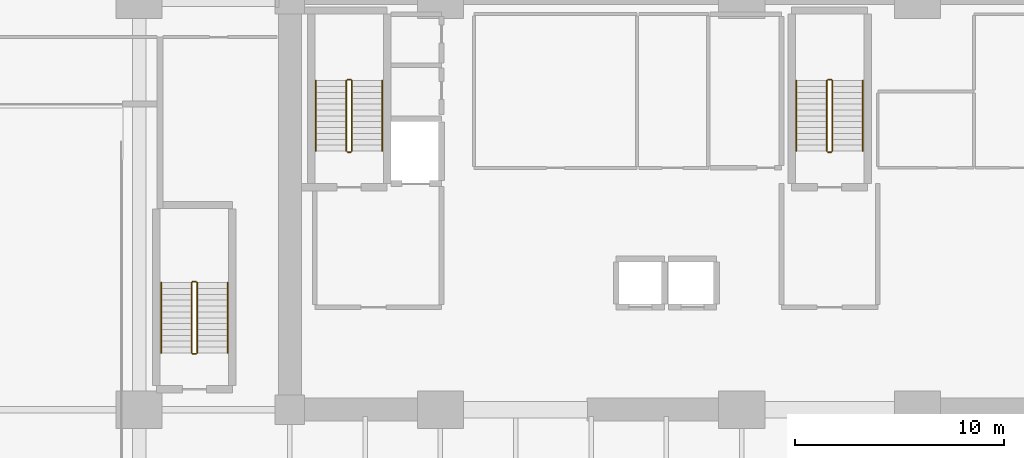
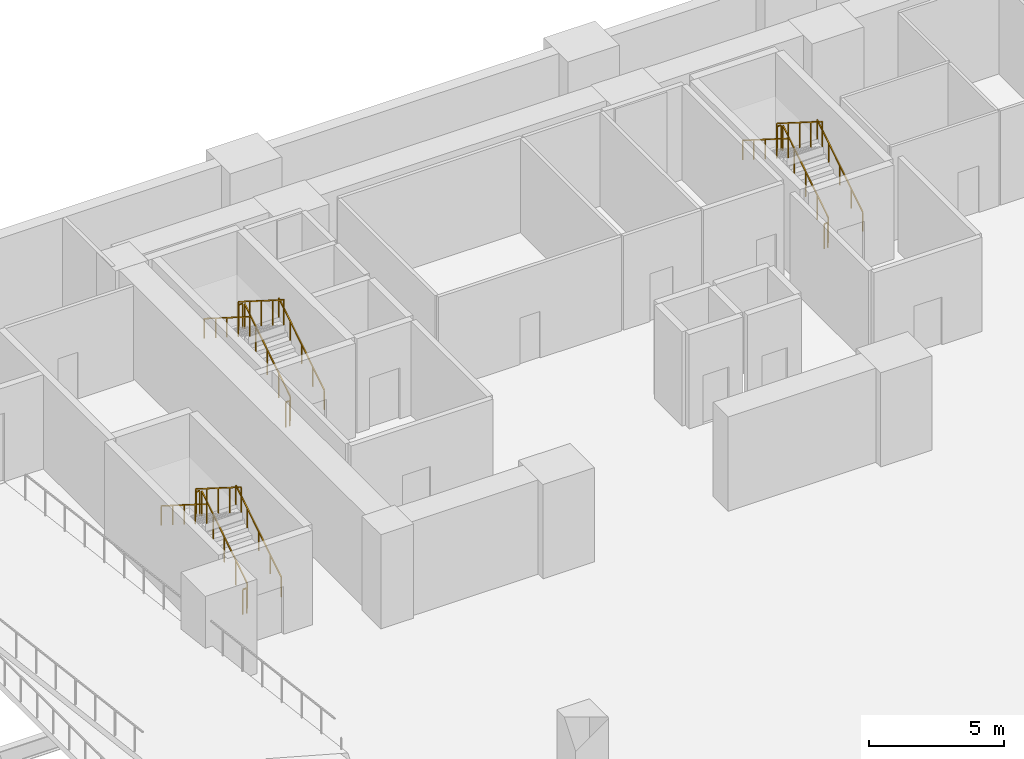
# One storey, part 8 of 9: 18 railings.
"""IFC4 building model written with IfcOpenShell, lengths in metres."""

from ifc_helpers import new_model, si_unit, direction, frame, origin, origin_2d, place, context, subcontext, project, spatial, rectangle, extrude, material, type_object, element, save


model = new_model("IFC4")

# Units and contexts
model_context = context("Model", 3, precision=1e-05, world=origin(), true_north=direction((0.0, 1.0)))
body_context = subcontext(model_context, "Body", "Model", "MODEL_VIEW")
ifc_project = project(units=[si_unit("LENGTHUNIT", "METRE"), si_unit("AREAUNIT", "SQUARE_METRE"), si_unit("VOLUMEUNIT", "CUBIC_METRE"), si_unit("PLANEANGLEUNIT", "RADIAN"), si_unit("MASSUNIT", "GRAM", prefix="KILO")], contexts=[model_context])

# Site, building, storey
site_placement = place(None, origin())
site = spatial("IfcSite", under=ifc_project, at=site_placement, CompositionType="ELEMENT")
building_placement = place(site_placement, origin())
building = spatial("IfcBuilding", under=site, at=building_placement, Name="Kaelvorn Grand Hotel", CompositionType="ELEMENT")
storey_placement = place(building_placement, frame((0.0, 0.0, -4.60009765625)))
storey = spatial("IfcBuildingStorey", under=building, at=storey_placement, Name="B01", CompositionType="ELEMENT", Elevation=-4.60009765625)

# Railings
ifc_material = material(Name="Stainless Steel", Category="steel")
railing_type_1 = type_object("IfcRailingType", Name="RL-HANDRAIL-900", PredefinedType="HANDRAIL", material=ifc_material)
railing_1_placement = place(storey_placement, frame((20.6298828125, 41.760009765625, 0.177001953125)))
element("IfcRailing", 1, at=railing_1_placement, inside=storey, type_object=railing_type_1, Name="B01 ST1 stair handrail 1", PredefinedType="HANDRAIL", context=body_context, shape_type="SweptSolid", body=[
    extrude(rectangle(XDim=0.048095703125, YDim=0.048095703125, at=origin_2d()), frame((0.0, 0.0, 0.8759765625), z_axis=(0.0, 0.845389635667, 0.534150132366), x_axis=(-1.0, 0.0, 0.0)), (0.0, 0.0, 1.0), 3.974609375),
    extrude(rectangle(XDim=0.0419921875, YDim=0.0419921875, at=origin_2d()), origin(), (0.0, 0.0, 1.0), 0.851806640625),
    extrude(rectangle(XDim=0.0419921875, YDim=0.0419921875, at=origin_2d()), frame((0.0, 0.840087890625, 0.53076171875)), (0.0, 0.0, 1.0), 0.851806640625),
    extrude(rectangle(XDim=0.0419921875, YDim=0.0419921875, at=origin_2d()), frame((0.0, 1.68017578125, 1.0615234375)), (0.0, 0.0, 1.0), 0.851806640625),
    extrude(rectangle(XDim=0.0419921875, YDim=0.0419921875, at=origin_2d()), frame((0.0, 2.52001953125, 1.59228515625)), (0.0, 0.0, 1.0), 0.851806640625),
    extrude(rectangle(XDim=0.0419921875, YDim=0.0419921875, at=origin_2d()), frame((0.0, 3.360107421875, 2.123046875)), (0.0, 0.0, 1.0), 0.851806640625),
])
railing_2_placement = place(storey_placement, frame((17.449951171875, 45.1201171875, 2.47705078125)))
element("IfcRailing", 2, at=railing_2_placement, inside=storey, type_object=railing_type_1, Name="B01 ST1 stair handrail 2", PredefinedType="HANDRAIL", context=body_context, shape_type="SweptSolid", body=[
    extrude(rectangle(XDim=0.048095703125, YDim=0.048095703125, at=origin_2d()), frame((0.0, 0.0, 0.8759765625), z_axis=(0.0, -0.845389635667, 0.534150132366), x_axis=(1.0, 0.0, 0.0)), (0.0, 0.0, 1.0), 3.974609375),
    extrude(rectangle(XDim=0.0419921875, YDim=0.0419921875, at=origin_2d()), origin(), (0.0, 0.0, 1.0), 0.851806640625),
    extrude(rectangle(XDim=0.0419921875, YDim=0.0419921875, at=origin_2d()), frame((0.0, -0.840087890625, 0.53076171875)), (0.0, 0.0, 1.0), 0.851806640625),
    extrude(rectangle(XDim=0.0419921875, YDim=0.0419921875, at=origin_2d()), frame((0.0, -1.68017578125, 1.0615234375)), (0.0, 0.0, 1.0), 0.851806640625),
    extrude(rectangle(XDim=0.0419921875, YDim=0.0419921875, at=origin_2d()), frame((0.0, -2.52001953125, 1.59228515625)), (0.0, 0.0, 1.0), 0.851806640625),
    extrude(rectangle(XDim=0.0419921875, YDim=0.0419921875, at=origin_2d()), frame((0.0, -3.360107421875, 2.123046875)), (0.0, 0.0, 1.0), 0.851806640625),
])
railing_3_placement = place(storey_placement, frame((43.590087890625, 41.760009765625, 0.177001953125)))
element("IfcRailing", 3, at=railing_3_placement, inside=storey, type_object=railing_type_1, Name="B01 ST2 stair handrail 1", PredefinedType="HANDRAIL", context=body_context, shape_type="SweptSolid", body=[
    extrude(rectangle(XDim=0.048095703125, YDim=0.048095703125, at=origin_2d()), frame((0.0, 0.0, 0.8759765625), z_axis=(0.0, 0.845389635667, 0.534150132366), x_axis=(-1.0, 0.0, 0.0)), (0.0, 0.0, 1.0), 3.974609375),
    extrude(rectangle(XDim=0.0419921875, YDim=0.0419921875, at=origin_2d()), origin(), (0.0, 0.0, 1.0), 0.851806640625),
    extrude(rectangle(XDim=0.0419921875, YDim=0.0419921875, at=origin_2d()), frame((0.0, 0.840087890625, 0.53076171875)), (0.0, 0.0, 1.0), 0.851806640625),
    extrude(rectangle(XDim=0.0419921875, YDim=0.0419921875, at=origin_2d()), frame((0.0, 1.68017578125, 1.0615234375)), (0.0, 0.0, 1.0), 0.851806640625),
    extrude(rectangle(XDim=0.0419921875, YDim=0.0419921875, at=origin_2d()), frame((0.0, 2.52001953125, 1.59228515625)), (0.0, 0.0, 1.0), 0.851806640625),
    extrude(rectangle(XDim=0.0419921875, YDim=0.0419921875, at=origin_2d()), frame((0.0, 3.360107421875, 2.123046875)), (0.0, 0.0, 1.0), 0.851806640625),
])
railing_4_placement = place(storey_placement, frame((40.409912109375, 45.1201171875, 2.47705078125)))
element("IfcRailing", 4, at=railing_4_placement, inside=storey, type_object=railing_type_1, Name="B01 ST2 stair handrail 2", PredefinedType="HANDRAIL", context=body_context, shape_type="SweptSolid", body=[
    extrude(rectangle(XDim=0.048095703125, YDim=0.048095703125, at=origin_2d()), frame((0.0, 0.0, 0.8759765625), z_axis=(0.0, -0.845389635667, 0.534150132366), x_axis=(1.0, 0.0, 0.0)), (0.0, 0.0, 1.0), 3.974609375),
    extrude(rectangle(XDim=0.0419921875, YDim=0.0419921875, at=origin_2d()), origin(), (0.0, 0.0, 1.0), 0.851806640625),
    extrude(rectangle(XDim=0.0419921875, YDim=0.0419921875, at=origin_2d()), frame((0.0, -0.840087890625, 0.53076171875)), (0.0, 0.0, 1.0), 0.851806640625),
    extrude(rectangle(XDim=0.0419921875, YDim=0.0419921875, at=origin_2d()), frame((0.0, -1.68017578125, 1.0615234375)), (0.0, 0.0, 1.0), 0.851806640625),
    extrude(rectangle(XDim=0.0419921875, YDim=0.0419921875, at=origin_2d()), frame((0.0, -2.52001953125, 1.59228515625)), (0.0, 0.0, 1.0), 0.851806640625),
    extrude(rectangle(XDim=0.0419921875, YDim=0.0419921875, at=origin_2d()), frame((0.0, -3.360107421875, 2.123046875)), (0.0, 0.0, 1.0), 0.851806640625),
])
railing_5_placement = place(storey_placement, frame((13.22998046875, 32.110107421875, 0.177001953125)))
element("IfcRailing", 5, at=railing_5_placement, inside=storey, type_object=railing_type_1, Name="B01 ST4 stair handrail 1", PredefinedType="HANDRAIL", context=body_context, shape_type="SweptSolid", body=[
    extrude(rectangle(XDim=0.048095703125, YDim=0.048095703125, at=origin_2d()), frame((0.0, 0.0, 0.8759765625), z_axis=(0.0, 0.845372108799, 0.534177870812), x_axis=(-1.0, 0.0, 0.0)), (0.0, 0.0, 1.0), 3.974365234375),
    extrude(rectangle(XDim=0.0419921875, YDim=0.0419921875, at=origin_2d()), origin(), (0.0, 0.0, 1.0), 0.851806640625),
    extrude(rectangle(XDim=0.0419921875, YDim=0.0419921875, at=origin_2d()), frame((0.0, 0.83984375, 0.53076171875)), (0.0, 0.0, 1.0), 0.851806640625),
    extrude(rectangle(XDim=0.0419921875, YDim=0.0419921875, at=origin_2d()), frame((0.0, 1.679931640625, 1.0615234375)), (0.0, 0.0, 1.0), 0.851806640625),
    extrude(rectangle(XDim=0.0419921875, YDim=0.0419921875, at=origin_2d()), frame((0.0, 2.52001953125, 1.59228515625)), (0.0, 0.0, 1.0), 0.851806640625),
    extrude(rectangle(XDim=0.0419921875, YDim=0.0419921875, at=origin_2d()), frame((0.0, 3.35986328125, 2.123046875)), (0.0, 0.0, 1.0), 0.851806640625),
])
railing_6_placement = place(storey_placement, frame((10.050048828125, 35.469970703125, 2.47705078125)))
element("IfcRailing", 6, at=railing_6_placement, inside=storey, type_object=railing_type_1, Name="B01 ST4 stair handrail 2", PredefinedType="HANDRAIL", context=body_context, shape_type="SweptSolid", body=[
    extrude(rectangle(XDim=0.048095703125, YDim=0.048095703125, at=origin_2d()), frame((0.0, 0.0, 0.8759765625), z_axis=(0.0, -0.845372108799, 0.534177870812), x_axis=(1.0, 0.0, 0.0)), (0.0, 0.0, 1.0), 3.974365234375),
    extrude(rectangle(XDim=0.0419921875, YDim=0.0419921875, at=origin_2d()), origin(), (0.0, 0.0, 1.0), 0.851806640625),
    extrude(rectangle(XDim=0.0419921875, YDim=0.0419921875, at=origin_2d()), frame((0.0, -0.83984375, 0.53076171875)), (0.0, 0.0, 1.0), 0.851806640625),
    extrude(rectangle(XDim=0.0419921875, YDim=0.0419921875, at=origin_2d()), frame((0.0, -1.679931640625, 1.0615234375)), (0.0, 0.0, 1.0), 0.851806640625),
    extrude(rectangle(XDim=0.0419921875, YDim=0.0419921875, at=origin_2d()), frame((0.0, -2.52001953125, 1.59228515625)), (0.0, 0.0, 1.0), 0.851806640625),
    extrude(rectangle(XDim=0.0419921875, YDim=0.0419921875, at=origin_2d()), frame((0.0, -3.35986328125, 2.123046875)), (0.0, 0.0, 1.0), 0.851806640625),
])
railing_type_2 = type_object("IfcRailingType", Name="RL-STAIR-GUARD-1150", PredefinedType="BALUSTRADE", material=ifc_material)
railing_7_placement = place(storey_placement, frame((19.169921875, 41.760009765625, 0.177001953125)))
element("IfcRailing", 7, at=railing_7_placement, inside=storey, type_object=railing_type_2, Name="B01 ST1 stair guard 1", PredefinedType="BALUSTRADE", context=body_context, shape_type="SweptSolid", body=[
    extrude(rectangle(XDim=0.048095703125, YDim=0.048095703125, at=origin_2d()), frame((0.0, 0.0, 1.1259765625), z_axis=(0.0, 0.845389635667, 0.534150132366), x_axis=(-1.0, 0.0, 0.0)), (0.0, 0.0, 1.0), 3.974609375),
    extrude(rectangle(XDim=0.0419921875, YDim=0.0419921875, at=origin_2d()), origin(), (0.0, 0.0, 1.0), 1.101806640625),
    extrude(rectangle(XDim=0.0419921875, YDim=0.0419921875, at=origin_2d()), frame((0.0, 0.840087890625, 0.53076171875)), (0.0, 0.0, 1.0), 1.101806640625),
    extrude(rectangle(XDim=0.0419921875, YDim=0.0419921875, at=origin_2d()), frame((0.0, 1.68017578125, 1.0615234375)), (0.0, 0.0, 1.0), 1.101806640625),
    extrude(rectangle(XDim=0.0419921875, YDim=0.0419921875, at=origin_2d()), frame((0.0, 2.52001953125, 1.59228515625)), (0.0, 0.0, 1.0), 1.101806640625),
    extrude(rectangle(XDim=0.0419921875, YDim=0.0419921875, at=origin_2d()), frame((0.0, 3.360107421875, 2.123046875)), (0.0, 0.0, 1.0), 1.101806640625),
])
railing_8_placement = place(storey_placement, frame((19.1201171875, 45.169921875, 2.300048828125)))
element("IfcRailing", 8, at=railing_8_placement, inside=storey, type_object=railing_type_2, Name="B01 ST1 stair guard 2", PredefinedType="BALUSTRADE", context=body_context, shape_type="SweptSolid", body=[
    extrude(rectangle(XDim=0.048095703125, YDim=0.048095703125, at=origin_2d()), frame((0.0, 0.0, 1.1259765625), z_axis=(-1.0, 0.0, 0.0), x_axis=(0.0, -1.0, 0.0)), (0.0, 0.0, 1.0), 0.16015625),
    extrude(rectangle(XDim=0.0419921875, YDim=0.0419921875, at=origin_2d()), origin(), (0.0, 0.0, 1.0), 1.101806640625),
    extrude(rectangle(XDim=0.0419921875, YDim=0.0419921875, at=origin_2d()), frame((-0.16015625, 0.0, 0.0)), (0.0, 0.0, 1.0), 1.101806640625),
])
railing_9_placement = place(storey_placement, frame((18.909912109375, 45.1201171875, 2.47705078125)))
element("IfcRailing", 9, at=railing_9_placement, inside=storey, type_object=railing_type_2, Name="B01 ST1 stair guard 3", PredefinedType="BALUSTRADE", context=body_context, shape_type="SweptSolid", body=[
    extrude(rectangle(XDim=0.048095703125, YDim=0.048095703125, at=origin_2d()), frame((0.0, 0.0, 1.1259765625), z_axis=(0.0, -0.845389635667, 0.534150132366), x_axis=(1.0, 0.0, 0.0)), (0.0, 0.0, 1.0), 3.974609375),
    extrude(rectangle(XDim=0.0419921875, YDim=0.0419921875, at=origin_2d()), origin(), (0.0, 0.0, 1.0), 1.101806640625),
    extrude(rectangle(XDim=0.0419921875, YDim=0.0419921875, at=origin_2d()), frame((0.0, -0.840087890625, 0.53076171875)), (0.0, 0.0, 1.0), 1.101806640625),
    extrude(rectangle(XDim=0.0419921875, YDim=0.0419921875, at=origin_2d()), frame((0.0, -1.68017578125, 1.0615234375)), (0.0, 0.0, 1.0), 1.101806640625),
    extrude(rectangle(XDim=0.0419921875, YDim=0.0419921875, at=origin_2d()), frame((0.0, -2.52001953125, 1.59228515625)), (0.0, 0.0, 1.0), 1.101806640625),
    extrude(rectangle(XDim=0.0419921875, YDim=0.0419921875, at=origin_2d()), frame((0.0, -3.360107421875, 2.123046875)), (0.0, 0.0, 1.0), 1.101806640625),
])
railing_10_placement = place(storey_placement, frame((19.1201171875, 41.7099609375, 0.0)))
element("IfcRailing", 10, at=railing_10_placement, inside=storey, type_object=railing_type_2, Name="B01 ST1 stair guard 4", PredefinedType="BALUSTRADE", context=body_context, shape_type="SweptSolid", body=[
    extrude(rectangle(XDim=0.048095703125, YDim=0.048095703125, at=origin_2d()), frame((0.0, 0.0, 1.1259765625), z_axis=(-1.0, 0.0, 0.0), x_axis=(0.0, -1.0, 0.0)), (0.0, 0.0, 1.0), 0.16015625),
    extrude(rectangle(XDim=0.0419921875, YDim=0.0419921875, at=origin_2d()), origin(), (0.0, 0.0, 1.0), 1.101806640625),
    extrude(rectangle(XDim=0.0419921875, YDim=0.0419921875, at=origin_2d()), frame((-0.16015625, 0.0, 0.0)), (0.0, 0.0, 1.0), 1.101806640625),
])
railing_11_placement = place(storey_placement, frame((42.1298828125, 41.760009765625, 0.177001953125)))
element("IfcRailing", 11, at=railing_11_placement, inside=storey, type_object=railing_type_2, Name="B01 ST2 stair guard 1", PredefinedType="BALUSTRADE", context=body_context, shape_type="SweptSolid", body=[
    extrude(rectangle(XDim=0.048095703125, YDim=0.048095703125, at=origin_2d()), frame((0.0, 0.0, 1.1259765625), z_axis=(0.0, 0.845389635667, 0.534150132366), x_axis=(-1.0, 0.0, 0.0)), (0.0, 0.0, 1.0), 3.974609375),
    extrude(rectangle(XDim=0.0419921875, YDim=0.0419921875, at=origin_2d()), origin(), (0.0, 0.0, 1.0), 1.101806640625),
    extrude(rectangle(XDim=0.0419921875, YDim=0.0419921875, at=origin_2d()), frame((0.0, 0.840087890625, 0.53076171875)), (0.0, 0.0, 1.0), 1.101806640625),
    extrude(rectangle(XDim=0.0419921875, YDim=0.0419921875, at=origin_2d()), frame((0.0, 1.68017578125, 1.0615234375)), (0.0, 0.0, 1.0), 1.101806640625),
    extrude(rectangle(XDim=0.0419921875, YDim=0.0419921875, at=origin_2d()), frame((0.0, 2.52001953125, 1.59228515625)), (0.0, 0.0, 1.0), 1.101806640625),
    extrude(rectangle(XDim=0.0419921875, YDim=0.0419921875, at=origin_2d()), frame((0.0, 3.360107421875, 2.123046875)), (0.0, 0.0, 1.0), 1.101806640625),
])
railing_12_placement = place(storey_placement, frame((42.080078125, 45.169921875, 2.300048828125)))
element("IfcRailing", 12, at=railing_12_placement, inside=storey, type_object=railing_type_2, Name="B01 ST2 stair guard 2", PredefinedType="BALUSTRADE", context=body_context, shape_type="SweptSolid", body=[
    extrude(rectangle(XDim=0.048095703125, YDim=0.048095703125, at=origin_2d()), frame((0.0, 0.0, 1.1259765625), z_axis=(-1.0, 0.0, 0.0), x_axis=(0.0, -1.0, 0.0)), (0.0, 0.0, 1.0), 0.16015625),
    extrude(rectangle(XDim=0.0419921875, YDim=0.0419921875, at=origin_2d()), origin(), (0.0, 0.0, 1.0), 1.101806640625),
    extrude(rectangle(XDim=0.0419921875, YDim=0.0419921875, at=origin_2d()), frame((-0.16015625, 0.0, 0.0)), (0.0, 0.0, 1.0), 1.101806640625),
])
railing_13_placement = place(storey_placement, frame((41.8701171875, 45.1201171875, 2.47705078125)))
element("IfcRailing", 13, at=railing_13_placement, inside=storey, type_object=railing_type_2, Name="B01 ST2 stair guard 3", PredefinedType="BALUSTRADE", context=body_context, shape_type="SweptSolid", body=[
    extrude(rectangle(XDim=0.048095703125, YDim=0.048095703125, at=origin_2d()), frame((0.0, 0.0, 1.1259765625), z_axis=(0.0, -0.845389635667, 0.534150132366), x_axis=(1.0, 0.0, 0.0)), (0.0, 0.0, 1.0), 3.974609375),
    extrude(rectangle(XDim=0.0419921875, YDim=0.0419921875, at=origin_2d()), origin(), (0.0, 0.0, 1.0), 1.101806640625),
    extrude(rectangle(XDim=0.0419921875, YDim=0.0419921875, at=origin_2d()), frame((0.0, -0.840087890625, 0.53076171875)), (0.0, 0.0, 1.0), 1.101806640625),
    extrude(rectangle(XDim=0.0419921875, YDim=0.0419921875, at=origin_2d()), frame((0.0, -1.68017578125, 1.0615234375)), (0.0, 0.0, 1.0), 1.101806640625),
    extrude(rectangle(XDim=0.0419921875, YDim=0.0419921875, at=origin_2d()), frame((0.0, -2.52001953125, 1.59228515625)), (0.0, 0.0, 1.0), 1.101806640625),
    extrude(rectangle(XDim=0.0419921875, YDim=0.0419921875, at=origin_2d()), frame((0.0, -3.360107421875, 2.123046875)), (0.0, 0.0, 1.0), 1.101806640625),
])
railing_14_placement = place(storey_placement, frame((42.080078125, 41.7099609375, 0.0)))
element("IfcRailing", 14, at=railing_14_placement, inside=storey, type_object=railing_type_2, Name="B01 ST2 stair guard 4", PredefinedType="BALUSTRADE", context=body_context, shape_type="SweptSolid", body=[
    extrude(rectangle(XDim=0.048095703125, YDim=0.048095703125, at=origin_2d()), frame((0.0, 0.0, 1.1259765625), z_axis=(-1.0, 0.0, 0.0), x_axis=(0.0, -1.0, 0.0)), (0.0, 0.0, 1.0), 0.16015625),
    extrude(rectangle(XDim=0.0419921875, YDim=0.0419921875, at=origin_2d()), origin(), (0.0, 0.0, 1.0), 1.101806640625),
    extrude(rectangle(XDim=0.0419921875, YDim=0.0419921875, at=origin_2d()), frame((-0.16015625, 0.0, 0.0)), (0.0, 0.0, 1.0), 1.101806640625),
])
railing_15_placement = place(storey_placement, frame((11.77001953125, 32.110107421875, 0.177001953125)))
element("IfcRailing", 15, at=railing_15_placement, inside=storey, type_object=railing_type_2, Name="B01 ST4 stair guard 1", PredefinedType="BALUSTRADE", context=body_context, shape_type="SweptSolid", body=[
    extrude(rectangle(XDim=0.048095703125, YDim=0.048095703125, at=origin_2d()), frame((0.0, 0.0, 1.1259765625), z_axis=(0.0, 0.845372108799, 0.534177870812), x_axis=(-1.0, 0.0, 0.0)), (0.0, 0.0, 1.0), 3.974365234375),
    extrude(rectangle(XDim=0.0419921875, YDim=0.0419921875, at=origin_2d()), origin(), (0.0, 0.0, 1.0), 1.101806640625),
    extrude(rectangle(XDim=0.0419921875, YDim=0.0419921875, at=origin_2d()), frame((0.0, 0.83984375, 0.53076171875)), (0.0, 0.0, 1.0), 1.101806640625),
    extrude(rectangle(XDim=0.0419921875, YDim=0.0419921875, at=origin_2d()), frame((0.0, 1.679931640625, 1.0615234375)), (0.0, 0.0, 1.0), 1.101806640625),
    extrude(rectangle(XDim=0.0419921875, YDim=0.0419921875, at=origin_2d()), frame((0.0, 2.52001953125, 1.59228515625)), (0.0, 0.0, 1.0), 1.101806640625),
    extrude(rectangle(XDim=0.0419921875, YDim=0.0419921875, at=origin_2d()), frame((0.0, 3.35986328125, 2.123046875)), (0.0, 0.0, 1.0), 1.101806640625),
])
railing_16_placement = place(storey_placement, frame((11.719970703125, 35.52001953125, 2.300048828125)))
element("IfcRailing", 16, at=railing_16_placement, inside=storey, type_object=railing_type_2, Name="B01 ST4 stair guard 2", PredefinedType="BALUSTRADE", context=body_context, shape_type="SweptSolid", body=[
    extrude(rectangle(XDim=0.048095703125, YDim=0.048095703125, at=origin_2d()), frame((0.0, 0.0, 1.1259765625), z_axis=(-1.0, 0.0, 0.0), x_axis=(0.0, -1.0, 0.0)), (0.0, 0.0, 1.0), 0.159912109375),
    extrude(rectangle(XDim=0.0419921875, YDim=0.0419921875, at=origin_2d()), origin(), (0.0, 0.0, 1.0), 1.101806640625),
    extrude(rectangle(XDim=0.0419921875, YDim=0.0419921875, at=origin_2d()), frame((-0.159912109375, 0.0, 0.0)), (0.0, 0.0, 1.0), 1.101806640625),
])
railing_17_placement = place(storey_placement, frame((11.510009765625, 35.469970703125, 2.47705078125)))
element("IfcRailing", 17, at=railing_17_placement, inside=storey, type_object=railing_type_2, Name="B01 ST4 stair guard 3", PredefinedType="BALUSTRADE", context=body_context, shape_type="SweptSolid", body=[
    extrude(rectangle(XDim=0.048095703125, YDim=0.048095703125, at=origin_2d()), frame((0.0, 0.0, 1.1259765625), z_axis=(0.0, -0.845372108799, 0.534177870812), x_axis=(1.0, 0.0, 0.0)), (0.0, 0.0, 1.0), 3.974365234375),
    extrude(rectangle(XDim=0.0419921875, YDim=0.0419921875, at=origin_2d()), origin(), (0.0, 0.0, 1.0), 1.101806640625),
    extrude(rectangle(XDim=0.0419921875, YDim=0.0419921875, at=origin_2d()), frame((0.0, -0.83984375, 0.53076171875)), (0.0, 0.0, 1.0), 1.101806640625),
    extrude(rectangle(XDim=0.0419921875, YDim=0.0419921875, at=origin_2d()), frame((0.0, -1.679931640625, 1.0615234375)), (0.0, 0.0, 1.0), 1.101806640625),
    extrude(rectangle(XDim=0.0419921875, YDim=0.0419921875, at=origin_2d()), frame((0.0, -2.52001953125, 1.59228515625)), (0.0, 0.0, 1.0), 1.101806640625),
    extrude(rectangle(XDim=0.0419921875, YDim=0.0419921875, at=origin_2d()), frame((0.0, -3.35986328125, 2.123046875)), (0.0, 0.0, 1.0), 1.101806640625),
])
railing_18_placement = place(storey_placement, frame((11.719970703125, 32.06005859375, 0.0)))
element("IfcRailing", 18, at=railing_18_placement, inside=storey, type_object=railing_type_2, Name="B01 ST4 stair guard 4", PredefinedType="BALUSTRADE", context=body_context, shape_type="SweptSolid", body=[
    extrude(rectangle(XDim=0.048095703125, YDim=0.048095703125, at=origin_2d()), frame((0.0, 0.0, 1.1259765625), z_axis=(-1.0, 0.0, 0.0), x_axis=(0.0, -1.0, 0.0)), (0.0, 0.0, 1.0), 0.159912109375),
    extrude(rectangle(XDim=0.0419921875, YDim=0.0419921875, at=origin_2d()), origin(), (0.0, 0.0, 1.0), 1.101806640625),
    extrude(rectangle(XDim=0.0419921875, YDim=0.0419921875, at=origin_2d()), frame((-0.159912109375, 0.0, 0.0)), (0.0, 0.0, 1.0), 1.101806640625),
])

save(model, "model.ifc")
